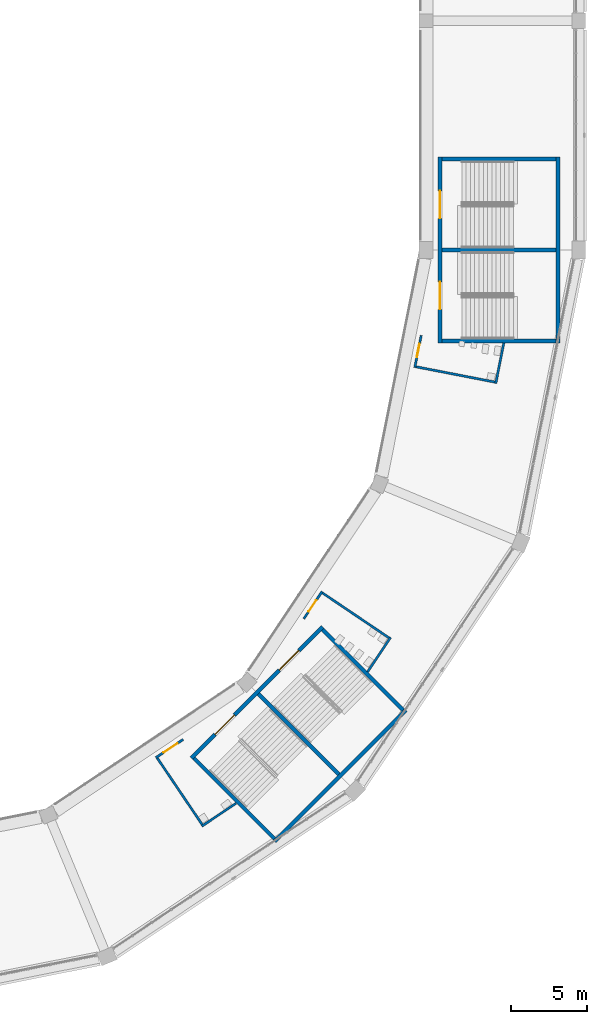
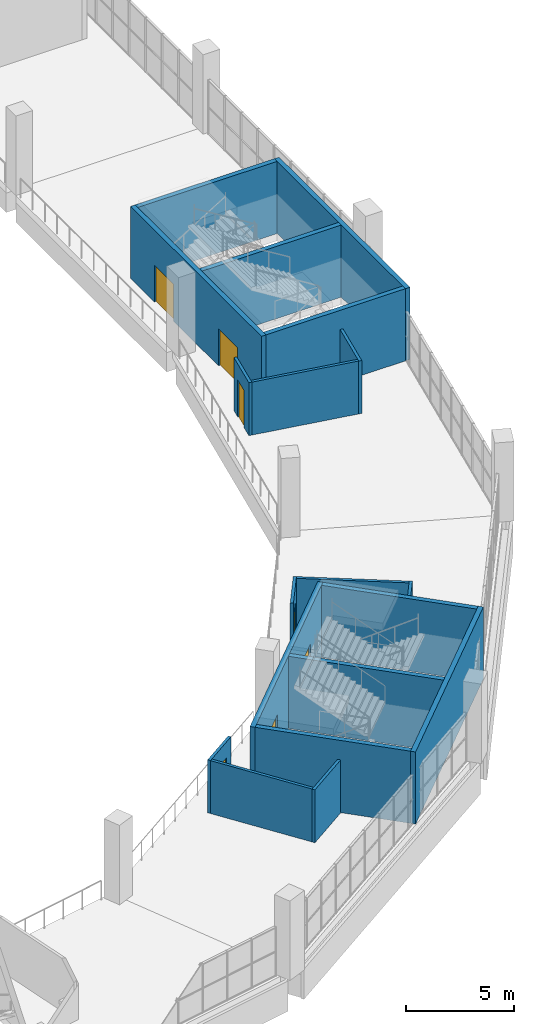
# One storey, part 64 of 177: 19 walls, 7 doors, 7 openings.
"""IFC4 building model written with IfcOpenShell, lengths in metres."""

from ifc_helpers import new_model, si_unit, direction, frame, frame_2d, origin, place, context, subcontext, project, spatial, rectangle, extrude, material, layer, layer_set, type_object, element, fill, save


model = new_model("IFC4")

# Units and contexts
model_context = context("Model", 3, precision=1e-05, world=origin(), true_north=direction((0.0, 1.0)))
body_context = subcontext(model_context, "Body", "Model", "MODEL_VIEW")
ifc_project = project(units=[si_unit("LENGTHUNIT", "METRE"), si_unit("AREAUNIT", "SQUARE_METRE"), si_unit("VOLUMEUNIT", "CUBIC_METRE"), si_unit("PLANEANGLEUNIT", "RADIAN"), si_unit("MASSUNIT", "GRAM", prefix="KILO")], contexts=[model_context])

# Site, building, storey
site_placement = place(None, origin())
site = spatial("IfcSite", under=ifc_project, at=site_placement, CompositionType="ELEMENT")
building_placement = place(site_placement, origin())
building = spatial("IfcBuilding", under=site, at=building_placement, Name="Ogive Plaza Stadium", CompositionType="ELEMENT")
storey_placement = place(building_placement, frame((0.0, 0.0, 18.0)))
storey = spatial("IfcBuildingStorey", under=building, at=storey_placement, Name="L04", CompositionType="ELEMENT", Elevation=18.0)

# Wall, openings, doors
ifc_material_1 = material(Name="Concrete C40/50", Category="concrete")
ifc_layer_1 = layer(ifc_material_1, 0.25)
ifc_layer_set_1 = layer_set([ifc_layer_1], Name="Concrete C40/50")
wall_type_1 = type_object("IfcWallType", Name="Core wall 250", PredefinedType="SHEAR", material=ifc_layer_set_1)
wall_1_placement = place(storey_placement, frame((74.925048828125, -58.574951171875, 0.0), z_axis=(0.0, 0.0, 1.0), x_axis=(0.0, 1.0, 0.0)))
wall_1 = element("IfcWall", 1, at=wall_1_placement, inside=storey, type_object=wall_type_1, Name="Stair core R08 inner wall", PredefinedType="SHEAR", context=body_context, shape_type="SweptSolid", body=[
    extrude(rectangle(XDim=12.14990234375, YDim=0.25, at=frame_2d((6.074951171875, 0.0))), origin(), (0.0, 0.0, 1.0), 4.090087890625),
])
opening_1_placement = place(wall_1_placement, frame((2.199951171875, 0.0, 0.0)))
opening_1 = element("IfcOpeningElement", 2, at=opening_1_placement, cuts=wall_1, Name="Opening D0089", PredefinedType="OPENING", context=body_context, shape_type="SweptSolid", body=[
    extrude(rectangle(XDim=1.800048828125, YDim=2.10009765625, at=frame_2d((0.89990234375, 1.050048828125))), frame((0.0, 0.125, 0.0), z_axis=(0.0, -1.0, 0.0), x_axis=(1.0, 0.0, 0.0)), (0.0, 0.0, 1.0), 0.25),
])
opening_2_placement = place(wall_1_placement, frame((8.14990234375, 0.0, 0.0)))
opening_2 = element("IfcOpeningElement", 3, at=opening_2_placement, cuts=wall_1, Name="Opening D0090", PredefinedType="OPENING", context=body_context, shape_type="SweptSolid", body=[
    extrude(rectangle(XDim=1.800048828125, YDim=2.10009765625, at=frame_2d((0.89990234375, 1.050048828125))), frame((0.0, 0.125, 0.0), z_axis=(0.0, -1.0, 0.0), x_axis=(1.0, 0.0, 0.0)), (0.0, 0.0, 1.0), 0.25),
])
ifc_material_2 = material(Name="Steel ASTM A572 Grade 50", Category="steel")
door_type_1 = type_object("IfcDoorType", Name="Fire door FD90 pair 1800 x 2100", OperationType="DOUBLE_DOOR_SINGLE_SWING", PredefinedType="DOOR", material=ifc_material_2)
door_1_placement = place(opening_1_placement, origin())
door_1 = element("IfcDoor", 4, at=door_1_placement, inside=storey, type_object=door_type_1, Name="Exit stair R08A door L04", OperationType="DOUBLE_DOOR_SINGLE_SWING", OverallHeight=2.10009765625, OverallWidth=1.800048828125, PredefinedType="DOOR", context=body_context, shape_type="SweptSolid", body=[
    extrude(rectangle(XDim=1.800048828125, YDim=2.10009765625, at=frame_2d((0.89990234375, 1.050048828125))), frame((0.0, 0.02490234375, 0.0), z_axis=(0.0, -1.0, 0.0), x_axis=(1.0, 0.0, 0.0)), (0.0, 0.0, 1.0), 0.050048828125),
])
fill(opening_1, door_1)
door_2_placement = place(opening_2_placement, origin())
door_2 = element("IfcDoor", 5, at=door_2_placement, inside=storey, type_object=door_type_1, Name="Exit stair R08B door L04", OperationType="DOUBLE_DOOR_SINGLE_SWING", OverallHeight=2.10009765625, OverallWidth=1.800048828125, PredefinedType="DOOR", context=body_context, shape_type="SweptSolid", body=[
    extrude(rectangle(XDim=1.800048828125, YDim=2.10009765625, at=frame_2d((0.89990234375, 1.050048828125))), frame((0.0, 0.02490234375, 0.0), z_axis=(0.0, -1.0, 0.0), x_axis=(1.0, 0.0, 0.0)), (0.0, 0.0, 1.0), 0.050048828125),
])
fill(opening_2, door_2)

# Walls
wall_2_placement = place(storey_placement, frame((82.635009765625, -58.574951171875, 0.0), z_axis=(0.0, 0.0, 1.0), x_axis=(0.0, 1.0, 0.0)))
element("IfcWall", 6, at=wall_2_placement, inside=storey, type_object=wall_type_1, Name="Stair core R08 outer wall", PredefinedType="SHEAR", context=body_context, shape_type="SweptSolid", body=[
    extrude(rectangle(XDim=12.14990234375, YDim=0.25, at=frame_2d((6.074951171875, 0.0))), origin(), (0.0, 0.0, 1.0), 4.090087890625),
])
for number, where, z_axis, x_axis, name in (
    (7, (75.050048828125, -58.449951171875, 0.0), (0.0, 0.0, 1.0), (1.0, 0.0, 0.0), "Stair core R08 side wall"),
    (8, (75.050048828125, -46.550048828125, 0.0), (0.0, 0.0, 1.0), (1.0, 0.0, 0.0), "Stair core R08 side wall"),
    (9, (75.050048828125, -52.5, 0.0), (0.0, 0.0, 1.0), (1.0, 0.0, 0.0), "Stair core R08 centre wall"),
):
    element("IfcWall", number, at=place(storey_placement, frame(where, z_axis=z_axis, x_axis=x_axis)), inside=storey, type_object=wall_type_1, Name=name, PredefinedType="SHEAR", context=body_context, shape_type="SweptSolid", body=[
        extrude(rectangle(XDim=7.4599609375, YDim=0.25, at=frame_2d((3.72998046875, 0.0))), origin(), (0.0, 0.0, 1.0), 4.090087890625),
    ])

# Wall, openings, doors
wall_3_placement = place(storey_placement, frame((58.642578125, -85.734130859375, 0.0), z_axis=(0.0, 0.0, 1.0), x_axis=(0.707106781187, 0.707106781187, 0.0)))
wall_3 = element("IfcWall", 10, at=wall_3_placement, inside=storey, type_object=wall_type_1, Name="Stair core R10 inner wall", PredefinedType="SHEAR", context=body_context, shape_type="SweptSolid", body=[
    extrude(rectangle(XDim=12.150390625, YDim=0.25, at=frame_2d((6.0751953125, 0.0))), origin(), (0.0, 0.0, 1.0), 4.090087890625),
])
opening_3_placement = place(wall_3_placement, frame((2.199951171875, 0.0, 0.0)))
opening_3 = element("IfcOpeningElement", 11, at=opening_3_placement, cuts=wall_3, Name="Opening D0101", PredefinedType="OPENING", context=body_context, shape_type="SweptSolid", body=[
    extrude(rectangle(XDim=1.800048828125, YDim=2.10009765625, at=frame_2d((0.89990234375, 1.050048828125))), frame((0.0, 0.125, 0.0), z_axis=(0.0, -1.0, 0.0), x_axis=(1.0, 0.0, 0.0)), (0.0, 0.0, 1.0), 0.25),
])
opening_4_placement = place(wall_3_placement, frame((8.14990234375, 0.0, 0.0)))
opening_4 = element("IfcOpeningElement", 12, at=opening_4_placement, cuts=wall_3, Name="Opening D0102", PredefinedType="OPENING", context=body_context, shape_type="SweptSolid", body=[
    extrude(rectangle(XDim=1.800048828125, YDim=2.10009765625, at=frame_2d((0.89990234375, 1.050048828125))), frame((0.0, 0.125, 0.0), z_axis=(0.0, -1.0, 0.0), x_axis=(1.0, 0.0, 0.0)), (0.0, 0.0, 1.0), 0.25),
])
door_3_placement = place(opening_3_placement, origin())
door_3 = element("IfcDoor", 13, at=door_3_placement, inside=storey, type_object=door_type_1, Name="Exit stair R10A door L04", OperationType="DOUBLE_DOOR_SINGLE_SWING", OverallHeight=2.10009765625, OverallWidth=1.800048828125, PredefinedType="DOOR", context=body_context, shape_type="SweptSolid", body=[
    extrude(rectangle(XDim=1.800048828125, YDim=2.10009765625, at=frame_2d((0.89990234375, 1.050048828125))), frame((0.0, 0.02490234375, 0.0), z_axis=(0.0, -1.0, 0.0), x_axis=(1.0, 0.0, 0.0)), (0.0, 0.0, 1.0), 0.050048828125),
])
fill(opening_3, door_3)
door_4_placement = place(opening_4_placement, origin())
door_4 = element("IfcDoor", 14, at=door_4_placement, inside=storey, type_object=door_type_1, Name="Exit stair R10B door L04", OperationType="DOUBLE_DOOR_SINGLE_SWING", OverallHeight=2.10009765625, OverallWidth=1.800048828125, PredefinedType="DOOR", context=body_context, shape_type="SweptSolid", body=[
    extrude(rectangle(XDim=1.800048828125, YDim=2.10009765625, at=frame_2d((0.89990234375, 1.050048828125))), frame((0.0, 0.02490234375, 0.0), z_axis=(0.0, -1.0, 0.0), x_axis=(1.0, 0.0, 0.0)), (0.0, 0.0, 1.0), 0.050048828125),
])
fill(opening_4, door_4)

# Walls
wall_4_placement = place(storey_placement, frame((64.094482421875, -91.185791015625, 0.0), z_axis=(0.0, 0.0, 1.0), x_axis=(0.707106781187, 0.707106781187, 0.0)))
element("IfcWall", 15, at=wall_4_placement, inside=storey, type_object=wall_type_1, Name="Stair core R10 outer wall", PredefinedType="SHEAR", context=body_context, shape_type="SweptSolid", body=[
    extrude(rectangle(XDim=12.14990234375, YDim=0.25, at=frame_2d((6.074951171875, 0.0))), origin(), (0.0, 0.0, 1.0), 4.090087890625),
])
for number, where, z_axis, x_axis, name in (
    (16, (58.8193359375, -85.734130859375, 0.0), (0.0, 0.0, 1.0), (0.707123144286, -0.707090417709, 0.0), "Stair core R10 side wall"),
    (17, (67.234130859375, -77.3193359375, 0.0), (0.0, 0.0, 1.0), (0.707090417709, -0.707123144286, 0.0), "Stair core R10 side wall"),
):
    element("IfcWall", number, at=place(storey_placement, frame(where, z_axis=z_axis, x_axis=x_axis)), inside=storey, type_object=wall_type_1, Name=name, PredefinedType="SHEAR", context=body_context, shape_type="SweptSolid", body=[
        extrude(rectangle(XDim=7.4599609375, YDim=0.25, at=frame_2d((3.72998046875, 0.0))), origin(), (0.0, 0.0, 1.0), 4.090087890625),
    ])
wall_5_placement = place(storey_placement, frame((63.026611328125, -81.526611328125, 0.0), z_axis=(0.0, 0.0, 1.0), x_axis=(0.707106781187, -0.707106781187, 0.0)))
element("IfcWall", 18, at=wall_5_placement, inside=storey, type_object=wall_type_1, Name="Stair core R10 centre wall", PredefinedType="SHEAR", context=body_context, shape_type="SweptSolid", body=[
    extrude(rectangle(XDim=7.460205078125, YDim=0.25, at=frame_2d((3.72998046875, 0.0))), origin(), (0.0, 0.0, 1.0), 4.090087890625),
])

# Wall, opening, door
ifc_material_3 = material(Name="Gypsum board partition", Category="gypsum")
ifc_layer_2 = layer(ifc_material_3, 0.14990234375)
ifc_layer_set_2 = layer_set([ifc_layer_2], Name="Partition 150")
wall_type_2 = type_object("IfcWallType", Name="Partition 150", PredefinedType="PARTITIONING", material=ifc_layer_set_2)
wall_6_placement = place(storey_placement, frame((73.689697265625, -58.08203125, 0.0), z_axis=(0.0, 0.0, 1.0), x_axis=(-0.195134256702, -0.980776540228, 0.0)))
wall_6 = element("IfcWall", 19, at=wall_6_placement, inside=storey, type_object=wall_type_2, Name="Wall L04 B08", PredefinedType="PARTITIONING", context=body_context, shape_type="SweptSolid", body=[
    extrude(rectangle(XDim=2.15185546875, YDim=0.14990234375, at=frame_2d((1.075927734375, 0.0))), origin(), (0.0, 0.0, 1.0), 3.0),
])
opening_5_placement = place(wall_6_placement, frame((0.5556640625, 0.0, 0.0)))
opening_5 = element("IfcOpeningElement", 20, at=opening_5_placement, cuts=wall_6, Name="Opening D0901", PredefinedType="OPENING", context=body_context, shape_type="SweptSolid", body=[
    extrude(rectangle(XDim=0.89990234375, YDim=2.10009765625, at=frame_2d((0.449951171875, 1.050048828125))), frame((0.0, 0.074951171875, 0.0), z_axis=(0.0, -1.0, 0.0), x_axis=(1.0, 0.0, 0.0)), (0.0, 0.0, 1.0), 0.14990234375),
])
ifc_material_4 = material(Name="Steel ASTM A572 Grade 50", Category="steel")
door_type_2 = type_object("IfcDoorType", Name="Door 900 x 2100", OperationType="SINGLE_SWING_LEFT", PredefinedType="DOOR", material=ifc_material_4)
door_5_placement = place(opening_5_placement, origin())
door_5 = element("IfcDoor", 21, at=door_5_placement, inside=storey, type_object=door_type_2, Name="Men's Toilet B08 door", OperationType="SINGLE_SWING_LEFT", OverallHeight=2.10009765625, OverallWidth=0.89990234375, PredefinedType="DOOR", context=body_context, shape_type="SweptSolid", body=[
    extrude(rectangle(XDim=0.89990234375, YDim=2.10009765625, at=frame_2d((0.449951171875, 1.050048828125))), frame((0.0, 0.02490234375, 0.0), z_axis=(0.0, -1.0, 0.0), x_axis=(1.0, 0.0, 0.0)), (0.0, 0.0, 1.0), 0.050048828125),
])
fill(opening_5, door_5)

# Walls
wall_7_placement = place(storey_placement, frame((79.091552734375, -58.574951171875, 0.0), z_axis=(0.0, 0.0, 1.0), x_axis=(-0.195109917251, -0.980781382465, 0.0)))
element("IfcWall", 22, at=wall_7_placement, inside=storey, type_object=wall_type_2, Name="Wall L04 B08", PredefinedType="PARTITIONING", context=body_context, shape_type="SweptSolid", body=[
    extrude(rectangle(XDim=2.70654296875, YDim=0.14990234375, at=frame_2d((1.353271484375, 0.0))), origin(), (0.0, 0.0, 1.0), 3.0),
])
wall_8_placement = place(storey_placement, frame((73.355712890625, -60.1376953125, 0.0), z_axis=(0.0, 0.0, 1.0), x_axis=(0.981681437742, -0.190529669063, 0.0)))
element("IfcWall", 23, at=wall_8_placement, inside=storey, type_object=wall_type_2, Name="Wall L04 B08", PredefinedType="PARTITIONING", context=body_context, shape_type="SweptSolid", body=[
    extrude(rectangle(XDim=5.247314453125, YDim=0.14990234375, at=frame_2d((2.62353515625, 0.0))), origin(), (0.0, 0.0, 1.0), 3.0),
])

# Wall, opening, door
wall_9_placement = place(storey_placement, frame((66.011962890625, -76.61767578125, 0.0), z_axis=(0.0, 0.0, 1.0), x_axis=(0.555616271849, 0.831438848297, 0.0)))
wall_9 = element("IfcWall", 24, at=wall_9_placement, inside=storey, type_object=wall_type_2, Name="Wall L04 B09", PredefinedType="PARTITIONING", context=body_context, shape_type="SweptSolid", body=[
    extrude(rectangle(XDim=2.15185546875, YDim=0.14990234375, at=frame_2d((1.075927734375, 0.0))), origin(), (0.0, 0.0, 1.0), 3.0),
])
opening_6_placement = place(wall_9_placement, frame((0.5556640625, 0.0, 0.0)))
opening_6 = element("IfcOpeningElement", 25, at=opening_6_placement, cuts=wall_9, Name="Opening D0902", PredefinedType="OPENING", context=body_context, shape_type="SweptSolid", body=[
    extrude(rectangle(XDim=0.89990234375, YDim=2.10009765625, at=frame_2d((0.449951171875, 1.050048828125))), frame((0.0, 0.074951171875, 0.0), z_axis=(0.0, -1.0, 0.0), x_axis=(1.0, 0.0, 0.0)), (0.0, 0.0, 1.0), 0.14990234375),
])
door_6_placement = place(opening_6_placement, origin())
door_6 = element("IfcDoor", 26, at=door_6_placement, inside=storey, type_object=door_type_2, Name="Women's Toilet B09 door", OperationType="SINGLE_SWING_LEFT", OverallHeight=2.10009765625, OverallWidth=0.89990234375, PredefinedType="DOOR", context=body_context, shape_type="SweptSolid", body=[
    extrude(rectangle(XDim=0.89990234375, YDim=2.10009765625, at=frame_2d((0.449951171875, 1.050048828125))), frame((0.0, 0.02490234375, 0.0), z_axis=(0.0, -1.0, 0.0), x_axis=(1.0, 0.0, 0.0)), (0.0, 0.0, 1.0), 0.050048828125),
])
fill(opening_6, door_6)

# Walls
wall_10_placement = place(storey_placement, frame((70.18017578125, -80.0888671875, 0.0), z_axis=(0.0, 0.0, 1.0), x_axis=(0.555553352943, 0.831480890961, 0.0)))
element("IfcWall", 27, at=wall_10_placement, inside=storey, type_object=wall_type_2, Name="Wall L04 B09", PredefinedType="PARTITIONING", context=body_context, shape_type="SweptSolid", body=[
    extrude(rectangle(XDim=2.70654296875, YDim=0.14990234375, at=frame_2d((1.353271484375, 0.0))), origin(), (0.0, 0.0, 1.0), 3.0),
])
wall_11_placement = place(storey_placement, frame((67.2294921875, -74.927978515625, 0.0), z_axis=(0.0, 0.0, 1.0), x_axis=(0.8288583832, -0.559458470843, 0.0)))
element("IfcWall", 28, at=wall_11_placement, inside=storey, type_object=wall_type_2, Name="Wall L04 B09", PredefinedType="PARTITIONING", context=body_context, shape_type="SweptSolid", body=[
    extrude(rectangle(XDim=5.2470703125, YDim=0.14990234375, at=frame_2d((2.62353515625, 0.0))), origin(), (0.0, 0.0, 1.0), 3.0),
])

# Wall, opening, door
wall_12_placement = place(storey_placement, frame((58.11767578125, -84.511962890625, 0.0), z_axis=(0.0, 0.0, 1.0), x_axis=(-0.831438848297, -0.555616271849, 0.0)))
wall_12 = element("IfcWall", 29, at=wall_12_placement, inside=storey, type_object=wall_type_2, Name="Wall L04 B10", PredefinedType="PARTITIONING", context=body_context, shape_type="SweptSolid", body=[
    extrude(rectangle(XDim=2.15185546875, YDim=0.14990234375, at=frame_2d((1.075927734375, 0.0))), origin(), (0.0, 0.0, 1.0), 3.0),
])
opening_7_placement = place(wall_12_placement, frame((0.45556640625, 0.0, 0.0)))
opening_7 = element("IfcOpeningElement", 30, at=opening_7_placement, cuts=wall_12, Name="Opening D0903", PredefinedType="OPENING", context=body_context, shape_type="SweptSolid", body=[
    extrude(rectangle(XDim=1.10009765625, YDim=2.10009765625, at=frame_2d((0.550048828125, 1.050048828125))), frame((0.0, 0.074951171875, 0.0), z_axis=(0.0, -1.0, 0.0), x_axis=(1.0, 0.0, 0.0)), (0.0, 0.0, 1.0), 0.14990234375),
])
ifc_material_5 = material(Name="Steel ASTM A572 Grade 50", Category="steel")
door_type_3 = type_object("IfcDoorType", Name="Accessible door 1100 x 2100", OperationType="SINGLE_SWING_LEFT", PredefinedType="DOOR", material=ifc_material_5)
door_7_placement = place(opening_7_placement, origin())
door_7 = element("IfcDoor", 31, at=door_7_placement, inside=storey, type_object=door_type_3, Name="Accessible WC B10 door", OperationType="SINGLE_SWING_LEFT", OverallHeight=2.10009765625, OverallWidth=1.10009765625, PredefinedType="DOOR", context=body_context, shape_type="SweptSolid", body=[
    extrude(rectangle(XDim=1.10009765625, YDim=2.10009765625, at=frame_2d((0.550048828125, 1.050048828125))), frame((0.0, 0.02490234375, 0.0), z_axis=(0.0, -1.0, 0.0), x_axis=(1.0, 0.0, 0.0)), (0.0, 0.0, 1.0), 0.050048828125),
])
fill(opening_7, door_7)

# Walls
wall_13_placement = place(storey_placement, frame((61.5888671875, -88.68017578125, 0.0), z_axis=(0.0, 0.0, 1.0), x_axis=(-0.831480890961, -0.555553352943, 0.0)))
element("IfcWall", 32, at=wall_13_placement, inside=storey, type_object=wall_type_2, Name="Wall L04 B10", PredefinedType="PARTITIONING", context=body_context, shape_type="SweptSolid", body=[
    extrude(rectangle(XDim=2.70654296875, YDim=0.14990234375, at=frame_2d((1.353271484375, 0.0))), origin(), (0.0, 0.0, 1.0), 3.0),
])
wall_14_placement = place(storey_placement, frame((56.427978515625, -85.7294921875, 0.0), z_axis=(0.0, 0.0, 1.0), x_axis=(0.559458470843, -0.8288583832, 0.0)))
element("IfcWall", 33, at=wall_14_placement, inside=storey, type_object=wall_type_2, Name="Wall L04 B10", PredefinedType="PARTITIONING", context=body_context, shape_type="SweptSolid", body=[
    extrude(rectangle(XDim=5.2470703125, YDim=0.14990234375, at=frame_2d((2.62353515625, 0.0))), origin(), (0.0, 0.0, 1.0), 3.0),
])

save(model, "model.ifc")
